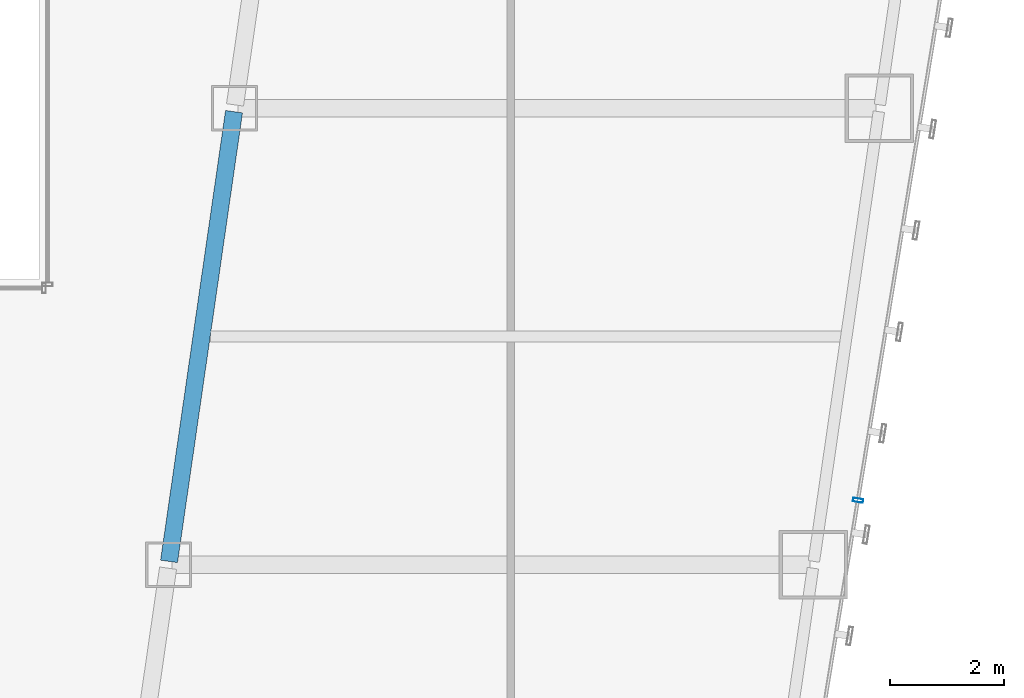
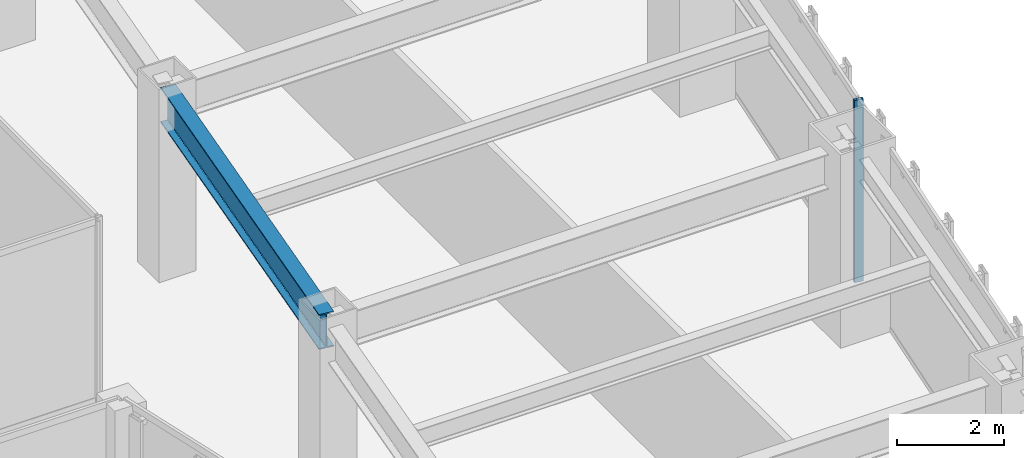
# One storey, part 17 of 47: 1 beam, 1 member, 1 element without a shape of its own.
"""IFC4 building model written with IfcOpenShell, lengths in metres."""

from ifc_helpers import new_model, si_unit, direction, frame, origin, origin_2d, place, context, subcontext, project, spatial, hollow_rectangle, i_section, extrude, material, material_profile, profile_set, type_object, element, aggregate, save


model = new_model("IFC4")

# Units and contexts
model_context = context("Model", 3, precision=1e-05, world=origin(), true_north=direction((0.0, 1.0)))
body_context = subcontext(model_context, "Body", "Model", "MODEL_VIEW")
ifc_project = project(units=[si_unit("LENGTHUNIT", "METRE"), si_unit("AREAUNIT", "SQUARE_METRE"), si_unit("VOLUMEUNIT", "CUBIC_METRE"), si_unit("PLANEANGLEUNIT", "RADIAN"), si_unit("MASSUNIT", "GRAM", prefix="KILO")], contexts=[model_context])

# Site, building, storey
site_placement = place(None, origin())
site = spatial("IfcSite", under=ifc_project, at=site_placement, CompositionType="ELEMENT")
building_placement = place(site_placement, origin())
building = spatial("IfcBuilding", under=site, at=building_placement, Name="Saevonmaru Cultural Tower", CompositionType="ELEMENT")
storey_placement = place(building_placement, frame((0.0, 0.0, 47.199951171875)))
storey = spatial("IfcBuildingStorey", under=building, at=storey_placement, Name="L09", CompositionType="ELEMENT", Elevation=47.199951171875)

# Beam
ifc_material_1 = material(Name="Steel SM420", Category="steel")
ifc_material_profile_1 = material_profile(ifc_material_1, i_section(OverallWidth=0.300048828125, OverallDepth=0.800048828125, WebThickness=0.013916015625, FlangeThickness=0.02587890625, FilletRadius=0.028076171875, at=origin_2d()), Name="H-800x300x14x26")
ifc_profile_set_1 = profile_set([ifc_material_profile_1], Name="Steel SM420")
beam_type = type_object("IfcBeamType", Name="BM-G-H800", PredefinedType="BEAM", material=ifc_profile_set_1)
beam_placement = place(storey_placement, frame((38.08056640625, 16.059326171875, 3.75), z_axis=(0.143022161059, 0.989719486241, 0.0), x_axis=(-0.989719486241, 0.143022161059, 0.0)))
element("IfcBeam", 1, at=beam_placement, inside=storey, type_object=beam_type, Name="L09 East Atrium Girder 3", PredefinedType="BEAM", context=body_context, shape_type="SweptSolid", body=[
    extrude(i_section(OverallWidth=0.300048828125, OverallDepth=0.800048828125, WebThickness=0.013916015625, FlangeThickness=0.02587890625, FilletRadius=0.028076171875, at=origin_2d()), origin(), (0.0, 0.0, 1.0), 7.963134765625),
])

# Curtain wall, member
ifc_material_2 = material(Name="Satin Bronze Anodised Aluminium", Category="aluminium")
curtain_wall_type = type_object("IfcCurtainWallType", Name="CW-TYP-A", PredefinedType="NOTDEFINED", material=ifc_material_2)
curtain_wall_placement = place(storey_placement, origin())
curtain_wall = element("IfcCurtainWall", 2, at=curtain_wall_placement, inside=storey, type_object=curtain_wall_type, Name="L09 Unitised Curtain Wall E8", PredefinedType="NOTDEFINED")
ifc_material_profile_2 = material_profile(ifc_material_2, hollow_rectangle(XDim=0.06494140625, YDim=0.179931640625, WallThickness=0.00390625, at=origin_2d()), Name="ALU-MULL-180x65x4")
ifc_profile_set_2 = profile_set([ifc_material_profile_2], Name="Satin Bronze Anodised Aluminium")
member_type = type_object("IfcMemberType", Name="ML-CW-180x65", PredefinedType="MULLION", material=ifc_profile_set_2)
member_placement = place(storey_placement, frame((50.15478515625, 17.129638671875, 0.0), z_axis=(0.0, 0.0, 1.0), x_axis=(0.161708868641, 0.986838508472, 0.0)))
member = element("IfcMember", 3, at=member_placement, type_object=member_type, Name="CW-TW-L09-E8 mullion 2", PredefinedType="MULLION", context=body_context, shape_type="SweptSolid", body=[
    extrude(hollow_rectangle(XDim=0.06494140625, YDim=0.179931640625, WallThickness=0.00390625, at=origin_2d()), origin(), (0.0, 0.0, 1.0), 4.150146484375),
])
aggregate(curtain_wall, [member])

save(model, "model.ifc")
